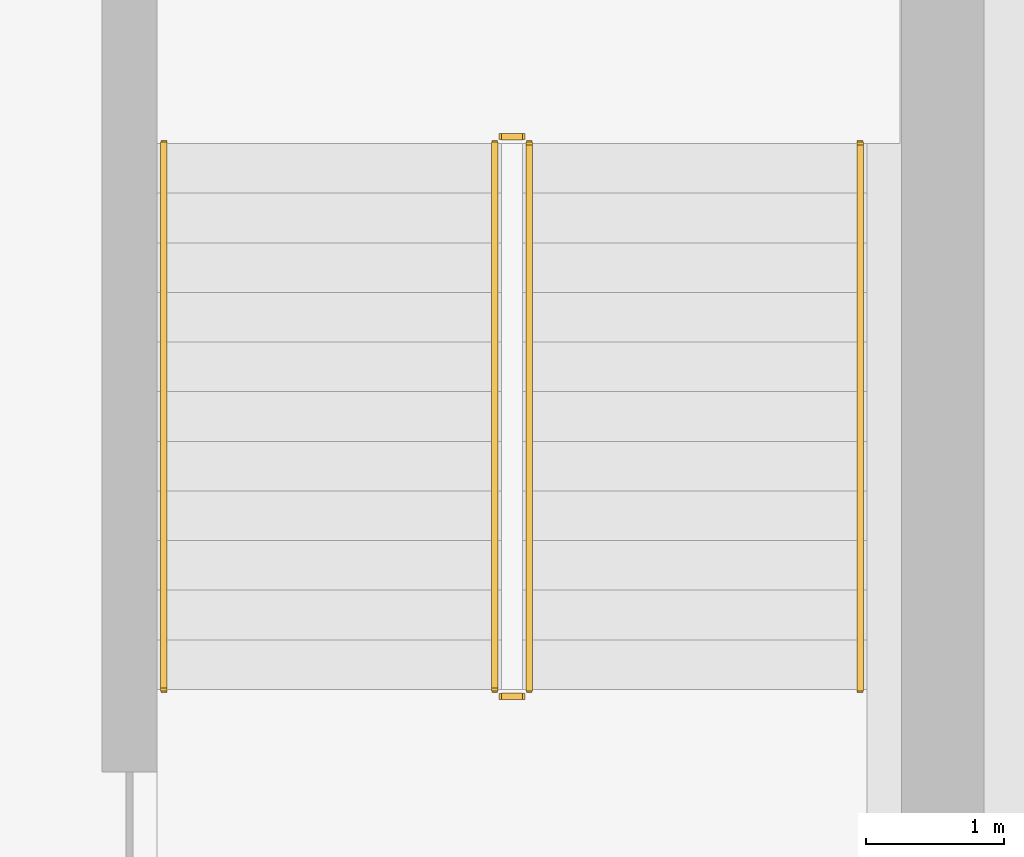
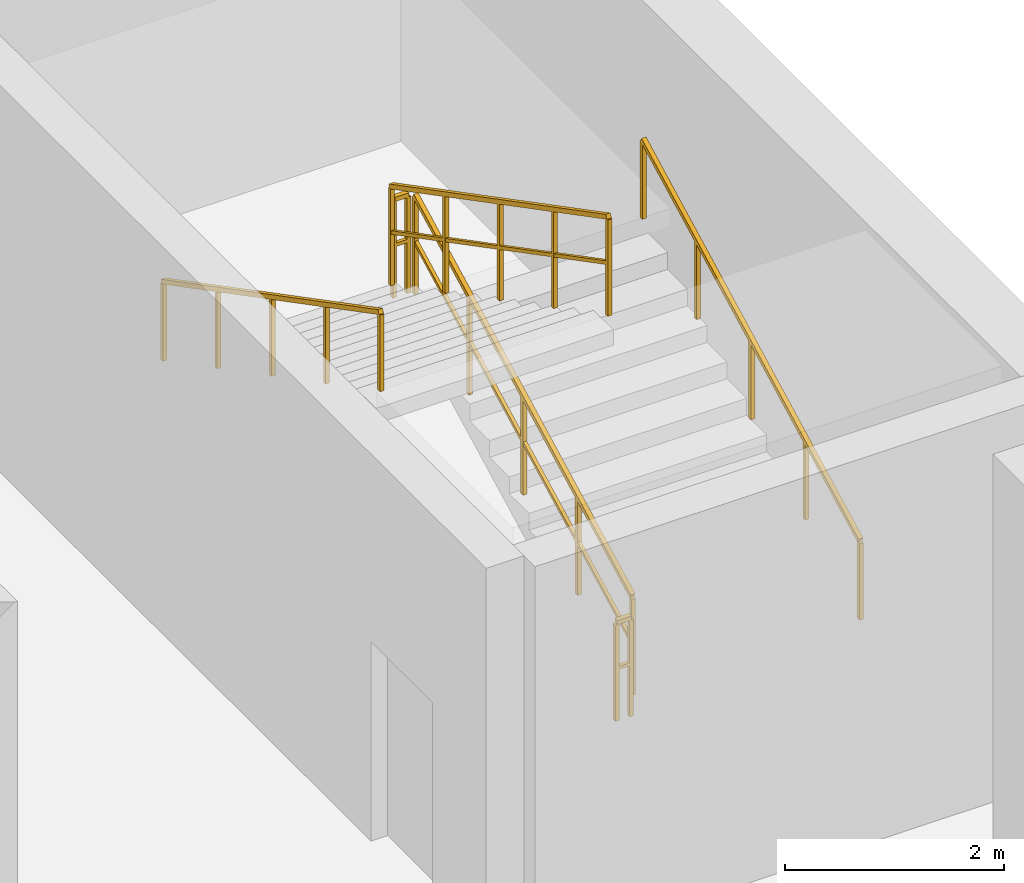
# One storey, part 11 of 13: 6 railings.
"""IFC4 building model written with IfcOpenShell, lengths in metres."""

from ifc_helpers import new_model, si_unit, direction, frame, origin, origin_2d, place, context, subcontext, project, spatial, rectangle, extrude, material, type_object, element, save


model = new_model("IFC4")

# Units and contexts
model_context = context("Model", 3, precision=1e-05, world=origin(), true_north=direction((0.0, 1.0)))
body_context = subcontext(model_context, "Body", "Model", "MODEL_VIEW")
ifc_project = project(units=[si_unit("LENGTHUNIT", "METRE"), si_unit("AREAUNIT", "SQUARE_METRE"), si_unit("VOLUMEUNIT", "CUBIC_METRE"), si_unit("PLANEANGLEUNIT", "RADIAN"), si_unit("MASSUNIT", "GRAM", prefix="KILO")], contexts=[model_context])

# Site, building, storey
site_placement = place(None, origin())
site = spatial("IfcSite", under=ifc_project, at=site_placement, CompositionType="ELEMENT")
building_placement = place(site_placement, origin())
building = spatial("IfcBuilding", under=site, at=building_placement, Name="Zuhayl Quay Hotel", CompositionType="ELEMENT")
storey_placement = place(building_placement, frame((0.0, 0.0, -9.0)))
storey = spatial("IfcBuildingStorey", under=building, at=storey_placement, Name="B2", CompositionType="ELEMENT", Elevation=-9.0)

# Railings
ifc_material = material(Name="Steel ASTM A992 Grade 50", Category="steel")
railing_type_1 = type_object("IfcRailingType", Name="RL_GUARD_1100", PredefinedType="GUARDRAIL", material=ifc_material)
railing_1_placement = place(storey_placement, frame((33.0, 4.10009765625, 0.1875)))
element("IfcRailing", 1, at=railing_1_placement, inside=storey, type_object=railing_type_1, Name="B2 ST4 stair guard 1", PredefinedType="GUARDRAIL", context=body_context, shape_type="SweptSolid", body=[
    extrude(rectangle(XDim=0.048095703125, YDim=0.048095703125, at=origin_2d()), frame((0.0, 0.0, 1.09619140625), z_axis=(0.0, 0.886912217305, 0.461938003193), x_axis=(-1.0, 0.0, 0.0)), (0.0, 0.0, 1.0), 4.46484375),
    extrude(rectangle(XDim=0.0361328125, YDim=0.0361328125, at=origin_2d()), frame((0.0, 0.0, 0.58251953125), z_axis=(0.0, 0.886912217305, 0.461938003193), x_axis=(-1.0, 0.0, 0.0)), (0.0, 0.0, 1.0), 4.46484375),
    extrude(rectangle(XDim=0.0419921875, YDim=0.0419921875, at=origin_2d()), origin(), (0.0, 0.0, 1.0), 1.072021484375),
    extrude(rectangle(XDim=0.0419921875, YDim=0.0419921875, at=origin_2d()), frame((0.0, 0.989990234375, 0.515625)), (0.0, 0.0, 1.0), 1.072021484375),
    extrude(rectangle(XDim=0.0419921875, YDim=0.0419921875, at=origin_2d()), frame((0.0, 1.97998046875, 1.03125)), (0.0, 0.0, 1.0), 1.072021484375),
    extrude(rectangle(XDim=0.0419921875, YDim=0.0419921875, at=origin_2d()), frame((0.0, 2.969970703125, 1.546875)), (0.0, 0.0, 1.0), 1.072021484375),
    extrude(rectangle(XDim=0.0419921875, YDim=0.0419921875, at=origin_2d()), frame((0.0, 3.9599609375, 2.0625)), (0.0, 0.0, 1.0), 1.072021484375),
])
railing_2_placement = place(storey_placement, frame((32.949951171875, 8.110107421875, 2.25)))
element("IfcRailing", 2, at=railing_2_placement, inside=storey, type_object=railing_type_1, Name="B2 ST4 stair guard 2", PredefinedType="GUARDRAIL", context=body_context, shape_type="SweptSolid", body=[
    extrude(rectangle(XDim=0.048095703125, YDim=0.048095703125, at=origin_2d()), frame((0.0, 0.0, 1.09619140625), z_axis=(-1.0, 0.0, 0.0), x_axis=(0.0, -1.0, 0.0)), (0.0, 0.0, 1.0), 0.14990234375),
    extrude(rectangle(XDim=0.0361328125, YDim=0.0361328125, at=origin_2d()), frame((0.0, 0.0, 0.58251953125), z_axis=(-1.0, 0.0, 0.0), x_axis=(0.0, -1.0, 0.0)), (0.0, 0.0, 1.0), 0.14990234375),
    extrude(rectangle(XDim=0.0419921875, YDim=0.0419921875, at=origin_2d()), origin(), (0.0, 0.0, 1.0), 1.072021484375),
    extrude(rectangle(XDim=0.0419921875, YDim=0.0419921875, at=origin_2d()), frame((-0.14990234375, 0.0, 0.0)), (0.0, 0.0, 1.0), 1.072021484375),
])
railing_3_placement = place(storey_placement, frame((32.75, 8.06005859375, 2.4375)))
element("IfcRailing", 3, at=railing_3_placement, inside=storey, type_object=railing_type_1, Name="B2 ST4 stair guard 3", PredefinedType="GUARDRAIL", context=body_context, shape_type="SweptSolid", body=[
    extrude(rectangle(XDim=0.048095703125, YDim=0.048095703125, at=origin_2d()), frame((0.0, 0.0, 1.09619140625), z_axis=(0.0, -0.886912217305, 0.461938003193), x_axis=(1.0, 0.0, 0.0)), (0.0, 0.0, 1.0), 4.46484375),
    extrude(rectangle(XDim=0.0361328125, YDim=0.0361328125, at=origin_2d()), frame((0.0, 0.0, 0.58251953125), z_axis=(0.0, -0.886912217305, 0.461938003193), x_axis=(1.0, 0.0, 0.0)), (0.0, 0.0, 1.0), 4.46484375),
    extrude(rectangle(XDim=0.0419921875, YDim=0.0419921875, at=origin_2d()), origin(), (0.0, 0.0, 1.0), 1.072021484375),
    extrude(rectangle(XDim=0.0419921875, YDim=0.0419921875, at=origin_2d()), frame((0.0, -0.989990234375, 0.515625)), (0.0, 0.0, 1.0), 1.072021484375),
    extrude(rectangle(XDim=0.0419921875, YDim=0.0419921875, at=origin_2d()), frame((0.0, -1.97998046875, 1.03125)), (0.0, 0.0, 1.0), 1.072021484375),
    extrude(rectangle(XDim=0.0419921875, YDim=0.0419921875, at=origin_2d()), frame((0.0, -2.969970703125, 1.546875)), (0.0, 0.0, 1.0), 1.072021484375),
    extrude(rectangle(XDim=0.0419921875, YDim=0.0419921875, at=origin_2d()), frame((0.0, -3.9599609375, 2.0625)), (0.0, 0.0, 1.0), 1.072021484375),
])
railing_4_placement = place(storey_placement, frame((32.949951171875, 4.050048828125, 0.0)))
element("IfcRailing", 4, at=railing_4_placement, inside=storey, type_object=railing_type_1, Name="B2 ST4 stair guard 4", PredefinedType="GUARDRAIL", context=body_context, shape_type="SweptSolid", body=[
    extrude(rectangle(XDim=0.048095703125, YDim=0.048095703125, at=origin_2d()), frame((0.0, 0.0, 1.09619140625), z_axis=(-1.0, 0.0, 0.0), x_axis=(0.0, -1.0, 0.0)), (0.0, 0.0, 1.0), 0.14990234375),
    extrude(rectangle(XDim=0.0361328125, YDim=0.0361328125, at=origin_2d()), frame((0.0, 0.0, 0.58251953125), z_axis=(-1.0, 0.0, 0.0), x_axis=(0.0, -1.0, 0.0)), (0.0, 0.0, 1.0), 0.14990234375),
    extrude(rectangle(XDim=0.0419921875, YDim=0.0419921875, at=origin_2d()), origin(), (0.0, 0.0, 1.0), 1.072021484375),
    extrude(rectangle(XDim=0.0419921875, YDim=0.0419921875, at=origin_2d()), frame((-0.14990234375, 0.0, 0.0)), (0.0, 0.0, 1.0), 1.072021484375),
])
railing_type_2 = type_object("IfcRailingType", Name="RL_HANDRAIL_920", PredefinedType="HANDRAIL", material=ifc_material)
railing_5_placement = place(storey_placement, frame((35.39990234375, 4.10009765625, 0.1875)))
element("IfcRailing", 5, at=railing_5_placement, inside=storey, type_object=railing_type_2, Name="B2 ST4 stair handrail 1", PredefinedType="HANDRAIL", context=body_context, shape_type="SweptSolid", body=[
    extrude(rectangle(XDim=0.048095703125, YDim=0.048095703125, at=origin_2d()), frame((0.0, 0.0, 0.8759765625), z_axis=(0.0, 0.886912217305, 0.461938003193), x_axis=(-1.0, 0.0, 0.0)), (0.0, 0.0, 1.0), 4.46484375),
    extrude(rectangle(XDim=0.0419921875, YDim=0.0419921875, at=origin_2d()), origin(), (0.0, 0.0, 1.0), 0.851806640625),
    extrude(rectangle(XDim=0.0419921875, YDim=0.0419921875, at=origin_2d()), frame((0.0, 0.989990234375, 0.515625)), (0.0, 0.0, 1.0), 0.851806640625),
    extrude(rectangle(XDim=0.0419921875, YDim=0.0419921875, at=origin_2d()), frame((0.0, 1.97998046875, 1.03125)), (0.0, 0.0, 1.0), 0.851806640625),
    extrude(rectangle(XDim=0.0419921875, YDim=0.0419921875, at=origin_2d()), frame((0.0, 2.969970703125, 1.546875)), (0.0, 0.0, 1.0), 0.851806640625),
    extrude(rectangle(XDim=0.0419921875, YDim=0.0419921875, at=origin_2d()), frame((0.0, 3.9599609375, 2.0625)), (0.0, 0.0, 1.0), 0.851806640625),
])
railing_6_placement = place(storey_placement, frame((30.35009765625, 8.06005859375, 2.4375)))
element("IfcRailing", 6, at=railing_6_placement, inside=storey, type_object=railing_type_2, Name="B2 ST4 stair handrail 2", PredefinedType="HANDRAIL", context=body_context, shape_type="SweptSolid", body=[
    extrude(rectangle(XDim=0.048095703125, YDim=0.048095703125, at=origin_2d()), frame((0.0, 0.0, 0.8759765625), z_axis=(0.0, -0.886912217305, 0.461938003193), x_axis=(1.0, 0.0, 0.0)), (0.0, 0.0, 1.0), 4.46484375),
    extrude(rectangle(XDim=0.0419921875, YDim=0.0419921875, at=origin_2d()), origin(), (0.0, 0.0, 1.0), 0.851806640625),
    extrude(rectangle(XDim=0.0419921875, YDim=0.0419921875, at=origin_2d()), frame((0.0, -0.989990234375, 0.515625)), (0.0, 0.0, 1.0), 0.851806640625),
    extrude(rectangle(XDim=0.0419921875, YDim=0.0419921875, at=origin_2d()), frame((0.0, -1.97998046875, 1.03125)), (0.0, 0.0, 1.0), 0.851806640625),
    extrude(rectangle(XDim=0.0419921875, YDim=0.0419921875, at=origin_2d()), frame((0.0, -2.969970703125, 1.546875)), (0.0, 0.0, 1.0), 0.851806640625),
    extrude(rectangle(XDim=0.0419921875, YDim=0.0419921875, at=origin_2d()), frame((0.0, -3.9599609375, 2.0625)), (0.0, 0.0, 1.0), 0.851806640625),
])

save(model, "model.ifc")
